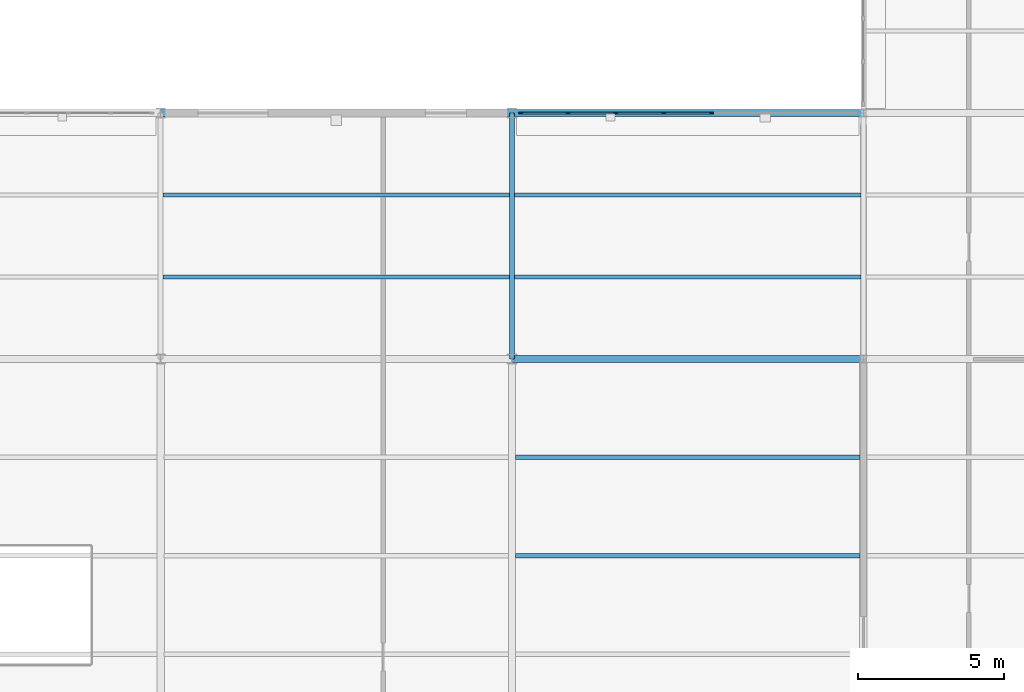
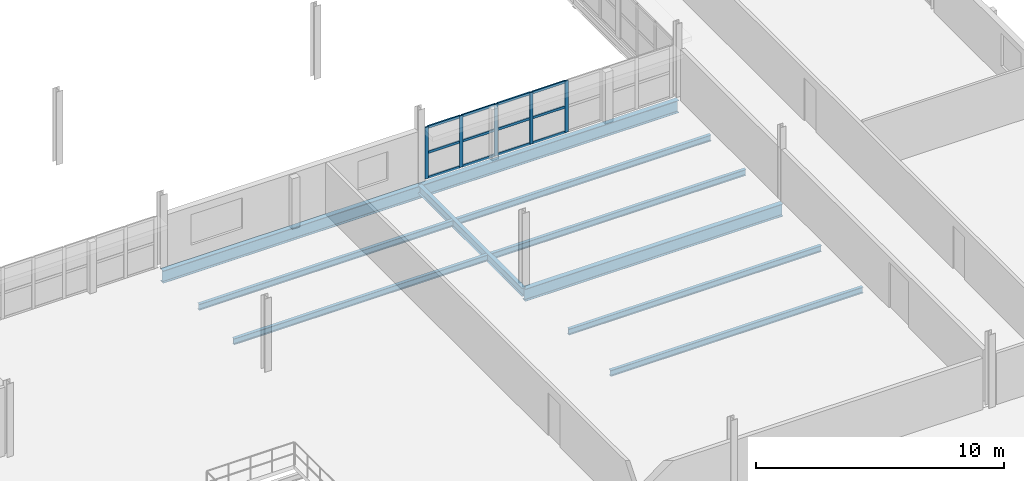
# One storey, part 51 of 101: 17 members, 10 beams, 1 element without a shape of its own.
"""IFC4 building model written with IfcOpenShell, lengths in metres."""

from ifc_helpers import new_model, si_unit, direction, frame, origin, origin_2d, place, context, subcontext, project, spatial, rectangle, i_section, extrude, material, layer, layer_set, material_profile, profile_set, type_object, element, aggregate, save


model = new_model("IFC4")

# Units and contexts
model_context = context("Model", 3, precision=1e-05, world=origin(), true_north=direction((0.0, 1.0)))
body_context = subcontext(model_context, "Body", "Model", "MODEL_VIEW")
ifc_project = project(units=[si_unit("LENGTHUNIT", "METRE"), si_unit("AREAUNIT", "SQUARE_METRE"), si_unit("VOLUMEUNIT", "CUBIC_METRE"), si_unit("PLANEANGLEUNIT", "RADIAN"), si_unit("MASSUNIT", "GRAM", prefix="KILO"), si_unit("THERMODYNAMICTEMPERATUREUNIT", "KELVIN"), si_unit("POWERUNIT", "WATT")], contexts=[model_context])

# Site, building, storey
site_placement = place(None, origin())
site = spatial("IfcSite", under=ifc_project, at=site_placement, CompositionType="ELEMENT")
building_placement = place(site_placement, origin())
building = spatial("IfcBuilding", under=site, at=building_placement, Name="Tembeka Court Mobility Hub", CompositionType="ELEMENT")
storey_placement = place(building_placement, frame((0.0, 0.0, 5.39990234375)))
storey = spatial("IfcBuildingStorey", under=building, at=storey_placement, Name="L01", CompositionType="ELEMENT", Elevation=5.39990234375)

# Beams
ifc_material_1 = material(Name="Steel S355", Category="steel")
ifc_material_profile_1 = material_profile(ifc_material_1, i_section(OverallWidth=0.177978515625, OverallDepth=0.406005859375, WebThickness=0.0078125, FlangeThickness=0.0126953125, FilletRadius=0.01025390625, at=origin_2d()), Name="UKB 406x178x60")
ifc_profile_set_1 = profile_set([ifc_material_profile_1], Name="Steel S355")
beam_type_1 = type_object("IfcBeamType", Name="BM-B02", PredefinedType="BEAM", material=ifc_profile_set_1)
beam_placement = place(storey_placement, frame((152.39990234375, 38.39990234375, -0.392822265625), z_axis=(0.0, 1.0, 0.0), x_axis=(-1.0, 0.0, 0.0)))
element("IfcBeam", 1, at=beam_placement, inside=storey, type_object=beam_type_1, Name="Beam B02 (BM-L01-Y0898)", PredefinedType="BEAM", context=body_context, shape_type="SweptSolid", body=[
    extrude(i_section(OverallWidth=0.177978515625, OverallDepth=0.406005859375, WebThickness=0.0078125, FlangeThickness=0.0126953125, FilletRadius=0.01025390625, at=origin_2d()), origin(), (0.0, 0.0, 1.0), 8.400146484375),
])
ifc_material_profile_2 = material_profile(ifc_material_1, i_section(OverallWidth=0.22900390625, OverallDepth=0.612060546875, WebThickness=0.011962890625, FlangeThickness=0.01953125, FilletRadius=0.0126953125, at=origin_2d()), Name="UKB 610x229x125")
ifc_profile_set_2 = profile_set([ifc_material_profile_2], Name="Steel S355")
beam_type_2 = type_object("IfcBeamType", Name="BM-G02", PredefinedType="USERDEFINED", material=ifc_profile_set_2)
for number, where, z_axis, x_axis, name in (
    (2, (152.39990234375, 38.39990234375, -0.495849609375), (1.0, 0.0, 0.0), (0.0, 1.0, 0.0), "Beam G02 (BM-L01-X0663)"),
    (3, (140.39990234375, 46.800048828125, -0.495849609375), (1.0, 0.0, 0.0), (0.0, 1.0, 0.0), "Beam G02 (BM-L01-X0676)"),
    (4, (152.39990234375, 46.800048828125, -0.495849609375), (1.0, 0.0, 0.0), (0.0, 1.0, 0.0), "Beam G02 (BM-L01-X0677)"),
):
    element("IfcBeam", number, at=place(storey_placement, frame(where, z_axis=z_axis, x_axis=x_axis)), inside=storey, type_object=beam_type_2, Name=name, ObjectType="GIRDER", PredefinedType="USERDEFINED", context=body_context, shape_type="SweptSolid", body=[
        extrude(i_section(OverallWidth=0.22900390625, OverallDepth=0.612060546875, WebThickness=0.011962890625, FlangeThickness=0.01953125, FilletRadius=0.0126953125, at=origin_2d()), origin(), (0.0, 0.0, 1.0), 12.0),
    ])
ifc_material_profile_3 = material_profile(ifc_material_1, i_section(OverallWidth=0.14990234375, OverallDepth=0.300048828125, WebThickness=0.007080078125, FlangeThickness=0.0107421875, FilletRadius=0.014892578125, at=origin_2d()), Name="IPE 300")
ifc_profile_set_3 = profile_set([ifc_material_profile_3], Name="Steel S355")
beam_type_3 = type_object("IfcBeamType", Name="BM-J04", PredefinedType="JOIST", material=ifc_profile_set_3)
for number, where, z_axis, x_axis, name in (
    (5, (140.48388671875, 41.199951171875, -0.33984375), (1.0, 0.0, 0.0), (0.0, 1.0, 0.0), "Beam J04 (JST-L01-1145)"),
    (6, (140.48388671875, 44.0, -0.33984375), (1.0, 0.0, 0.0), (0.0, 1.0, 0.0), "Beam J04 (JST-L01-1146)"),
):
    element("IfcBeam", number, at=place(storey_placement, frame(where, z_axis=z_axis, x_axis=x_axis)), inside=storey, type_object=beam_type_3, Name=name, PredefinedType="JOIST", context=body_context, shape_type="SweptSolid", body=[
        extrude(i_section(OverallWidth=0.14990234375, OverallDepth=0.300048828125, WebThickness=0.007080078125, FlangeThickness=0.0107421875, FilletRadius=0.014892578125, at=origin_2d()), origin(), (0.0, 0.0, 1.0), 11.83203125),
    ])
for number, where, z_axis, x_axis, name in (
    (7, (152.52197265625, 31.679931640625, -0.33984375), (1.0, 0.0, 0.0), (0.0, 1.0, 0.0), "Beam J04 (JST-L01-1152)"),
    (8, (152.52197265625, 35.0400390625, -0.33984375), (1.0, 0.0, 0.0), (0.0, 1.0, 0.0), "Beam J04 (JST-L01-1153)"),
):
    element("IfcBeam", number, at=place(storey_placement, frame(where, z_axis=z_axis, x_axis=x_axis)), inside=storey, type_object=beam_type_3, Name=name, PredefinedType="JOIST", context=body_context, shape_type="SweptSolid", body=[
        extrude(i_section(OverallWidth=0.14990234375, OverallDepth=0.300048828125, WebThickness=0.007080078125, FlangeThickness=0.0107421875, FilletRadius=0.014892578125, at=origin_2d()), origin(), (0.0, 0.0, 1.0), 11.756103515625),
    ])
for number, where, z_axis, x_axis, name in (
    (9, (152.48388671875, 41.199951171875, -0.33984375), (1.0, 0.0, 0.0), (0.0, 1.0, 0.0), "Beam J04 (JST-L01-1154)"),
    (10, (152.48388671875, 44.0, -0.33984375), (1.0, 0.0, 0.0), (0.0, 1.0, 0.0), "Beam J04 (JST-L01-1155)"),
):
    element("IfcBeam", number, at=place(storey_placement, frame(where, z_axis=z_axis, x_axis=x_axis)), inside=storey, type_object=beam_type_3, Name=name, PredefinedType="JOIST", context=body_context, shape_type="SweptSolid", body=[
        extrude(i_section(OverallWidth=0.14990234375, OverallDepth=0.300048828125, WebThickness=0.007080078125, FlangeThickness=0.0107421875, FilletRadius=0.014892578125, at=origin_2d()), origin(), (0.0, 0.0, 1.0), 11.83203125),
    ])

# Curtain wall, members
ifc_material_2 = material(Name="Anodised aluminium 6063-T6", Category="aluminium")
ifc_layer = layer(ifc_material_2, 0.159912109375)
ifc_layer_set = layer_set([ifc_layer], Name="Anodised aluminium 6063-T6")
curtain_wall_type = type_object("IfcCurtainWallType", Name="CW-SYS41", PredefinedType="USERDEFINED", material=ifc_layer_set)
curtain_wall_placement = place(storey_placement, origin())
curtain_wall = element("IfcCurtainWall", 11, at=curtain_wall_placement, inside=storey, type_object=curtain_wall_type, Name="Unitised curtain wall CW41 (CW-L01-116)", ObjectType="UNITISED GLAZING", PredefinedType="USERDEFINED")
ifc_material_profile_4 = material_profile(ifc_material_2, rectangle(XDim=0.06494140625, YDim=0.159912109375, at=origin_2d()), Name="ALU-MUL 65x160")
ifc_profile_set_4 = profile_set([ifc_material_profile_4], Name="Anodised aluminium 6063-T6")
member_type_1 = type_object("IfcMemberType", Name="CW-MUL01", PredefinedType="MULLION", material=ifc_profile_set_4)
member_1_placement = place(storey_placement, frame((152.71240234375, 46.800048828125, 0.0), z_axis=(0.0, 0.0, 1.0), x_axis=(0.0, 1.0, 0.0)))
member_1 = element("IfcMember", 12, at=member_1_placement, type_object=member_type_1, Name="CW41 mullion 1", PredefinedType="MULLION", context=body_context, shape_type="SweptSolid", body=[
    extrude(rectangle(XDim=0.06494140625, YDim=0.159912109375, at=origin_2d()), origin(), (0.0, 0.0, 1.0), 2.53515625),
])
member_2_placement = place(storey_placement, frame((154.314208984375, 46.800048828125, 0.0), z_axis=(0.0, 0.0, 1.0), x_axis=(0.0, 1.0, 0.0)))
member_2 = element("IfcMember", 13, at=member_2_placement, type_object=member_type_1, Name="CW41 mullion 2", PredefinedType="MULLION", context=body_context, shape_type="SweptSolid", body=[
    extrude(rectangle(XDim=0.06494140625, YDim=0.159912109375, at=origin_2d()), origin(), (0.0, 0.0, 1.0), 2.53515625),
])
member_3_placement = place(storey_placement, frame((155.948486328125, 46.800048828125, 0.0), z_axis=(0.0, 0.0, 1.0), x_axis=(0.0, 1.0, 0.0)))
member_3 = element("IfcMember", 14, at=member_3_placement, type_object=member_type_1, Name="CW41 mullion 3", PredefinedType="MULLION", context=body_context, shape_type="SweptSolid", body=[
    extrude(rectangle(XDim=0.06494140625, YDim=0.159912109375, at=origin_2d()), origin(), (0.0, 0.0, 1.0), 2.53515625),
])
member_4_placement = place(storey_placement, frame((157.582763671875, 46.800048828125, 0.0), z_axis=(0.0, 0.0, 1.0), x_axis=(0.0, 1.0, 0.0)))
member_4 = element("IfcMember", 15, at=member_4_placement, type_object=member_type_1, Name="CW41 mullion 4", PredefinedType="MULLION", context=body_context, shape_type="SweptSolid", body=[
    extrude(rectangle(XDim=0.06494140625, YDim=0.159912109375, at=origin_2d()), origin(), (0.0, 0.0, 1.0), 2.53515625),
])
member_5_placement = place(storey_placement, frame((159.217041015625, 46.800048828125, 0.0), z_axis=(0.0, 0.0, 1.0), x_axis=(0.0, 1.0, 0.0)))
member_5 = element("IfcMember", 16, at=member_5_placement, type_object=member_type_1, Name="CW41 mullion 5", PredefinedType="MULLION", context=body_context, shape_type="SweptSolid", body=[
    extrude(rectangle(XDim=0.06494140625, YDim=0.159912109375, at=origin_2d()), origin(), (0.0, 0.0, 1.0), 2.53515625),
])
ifc_material_profile_5 = material_profile(ifc_material_2, rectangle(XDim=0.06494140625, YDim=0.1201171875, at=origin_2d()), Name="ALU-TRN 65x120")
ifc_profile_set_5 = profile_set([ifc_material_profile_5], Name="Anodised aluminium 6063-T6")
member_type_2 = type_object("IfcMemberType", Name="CW-TRN01", PredefinedType="USERDEFINED", material=ifc_profile_set_5)
member_6_placement = place(storey_placement, frame((152.7451171875, 46.800048828125, 0.03271484375), z_axis=(1.0, 0.0, 0.0), x_axis=(0.0, 1.0, 0.0)))
member_6 = element("IfcMember", 17, at=member_6_placement, type_object=member_type_2, Name="CW41 transom 1.1", ObjectType="TRANSOM", PredefinedType="USERDEFINED", context=body_context, shape_type="SweptSolid", body=[
    extrude(rectangle(XDim=0.06494140625, YDim=0.1201171875, at=origin_2d()), origin(), (0.0, 0.0, 1.0), 1.53662109375),
])
member_7_placement = place(storey_placement, frame((152.7451171875, 46.800048828125, 1.267578125), z_axis=(1.0, 0.0, 0.0), x_axis=(0.0, 1.0, 0.0)))
member_7 = element("IfcMember", 18, at=member_7_placement, type_object=member_type_2, Name="CW41 transom 1.2", ObjectType="TRANSOM", PredefinedType="USERDEFINED", context=body_context, shape_type="SweptSolid", body=[
    extrude(rectangle(XDim=0.06494140625, YDim=0.1201171875, at=origin_2d()), origin(), (0.0, 0.0, 1.0), 1.53662109375),
])
member_8_placement = place(storey_placement, frame((152.7451171875, 46.800048828125, 2.502685546875), z_axis=(1.0, 0.0, 0.0), x_axis=(0.0, 1.0, 0.0)))
member_8 = element("IfcMember", 19, at=member_8_placement, type_object=member_type_2, Name="CW41 transom 1.3", ObjectType="TRANSOM", PredefinedType="USERDEFINED", context=body_context, shape_type="SweptSolid", body=[
    extrude(rectangle(XDim=0.06494140625, YDim=0.1201171875, at=origin_2d()), origin(), (0.0, 0.0, 1.0), 1.53662109375),
])
member_9_placement = place(storey_placement, frame((154.3466796875, 46.800048828125, 0.03271484375), z_axis=(1.0, 0.0, 0.0), x_axis=(0.0, 1.0, 0.0)))
member_9 = element("IfcMember", 20, at=member_9_placement, type_object=member_type_2, Name="CW41 transom 2.1", ObjectType="TRANSOM", PredefinedType="USERDEFINED", context=body_context, shape_type="SweptSolid", body=[
    extrude(rectangle(XDim=0.06494140625, YDim=0.1201171875, at=origin_2d()), origin(), (0.0, 0.0, 1.0), 1.5693359375),
])
member_10_placement = place(storey_placement, frame((154.3466796875, 46.800048828125, 1.267578125), z_axis=(1.0, 0.0, 0.0), x_axis=(0.0, 1.0, 0.0)))
member_10 = element("IfcMember", 21, at=member_10_placement, type_object=member_type_2, Name="CW41 transom 2.2", ObjectType="TRANSOM", PredefinedType="USERDEFINED", context=body_context, shape_type="SweptSolid", body=[
    extrude(rectangle(XDim=0.06494140625, YDim=0.1201171875, at=origin_2d()), origin(), (0.0, 0.0, 1.0), 1.5693359375),
])
member_11_placement = place(storey_placement, frame((154.3466796875, 46.800048828125, 2.502685546875), z_axis=(1.0, 0.0, 0.0), x_axis=(0.0, 1.0, 0.0)))
member_11 = element("IfcMember", 22, at=member_11_placement, type_object=member_type_2, Name="CW41 transom 2.3", ObjectType="TRANSOM", PredefinedType="USERDEFINED", context=body_context, shape_type="SweptSolid", body=[
    extrude(rectangle(XDim=0.06494140625, YDim=0.1201171875, at=origin_2d()), origin(), (0.0, 0.0, 1.0), 1.5693359375),
])
member_12_placement = place(storey_placement, frame((155.98095703125, 46.800048828125, 0.03271484375), z_axis=(1.0, 0.0, 0.0), x_axis=(0.0, 1.0, 0.0)))
member_12 = element("IfcMember", 23, at=member_12_placement, type_object=member_type_2, Name="CW41 transom 3.1", ObjectType="TRANSOM", PredefinedType="USERDEFINED", context=body_context, shape_type="SweptSolid", body=[
    extrude(rectangle(XDim=0.06494140625, YDim=0.1201171875, at=origin_2d()), origin(), (0.0, 0.0, 1.0), 1.5693359375),
])
member_13_placement = place(storey_placement, frame((155.98095703125, 46.800048828125, 1.267578125), z_axis=(1.0, 0.0, 0.0), x_axis=(0.0, 1.0, 0.0)))
member_13 = element("IfcMember", 24, at=member_13_placement, type_object=member_type_2, Name="CW41 transom 3.2", ObjectType="TRANSOM", PredefinedType="USERDEFINED", context=body_context, shape_type="SweptSolid", body=[
    extrude(rectangle(XDim=0.06494140625, YDim=0.1201171875, at=origin_2d()), origin(), (0.0, 0.0, 1.0), 1.5693359375),
])
member_14_placement = place(storey_placement, frame((155.98095703125, 46.800048828125, 2.502685546875), z_axis=(1.0, 0.0, 0.0), x_axis=(0.0, 1.0, 0.0)))
member_14 = element("IfcMember", 25, at=member_14_placement, type_object=member_type_2, Name="CW41 transom 3.3", ObjectType="TRANSOM", PredefinedType="USERDEFINED", context=body_context, shape_type="SweptSolid", body=[
    extrude(rectangle(XDim=0.06494140625, YDim=0.1201171875, at=origin_2d()), origin(), (0.0, 0.0, 1.0), 1.5693359375),
])
member_15_placement = place(storey_placement, frame((157.615478515625, 46.800048828125, 0.03271484375), z_axis=(1.0, 0.0, 0.0), x_axis=(0.0, 1.0, 0.0)))
member_15 = element("IfcMember", 26, at=member_15_placement, type_object=member_type_2, Name="CW41 transom 4.1", ObjectType="TRANSOM", PredefinedType="USERDEFINED", context=body_context, shape_type="SweptSolid", body=[
    extrude(rectangle(XDim=0.06494140625, YDim=0.1201171875, at=origin_2d()), origin(), (0.0, 0.0, 1.0), 1.569091796875),
])
member_16_placement = place(storey_placement, frame((157.615478515625, 46.800048828125, 1.267578125), z_axis=(1.0, 0.0, 0.0), x_axis=(0.0, 1.0, 0.0)))
member_16 = element("IfcMember", 27, at=member_16_placement, type_object=member_type_2, Name="CW41 transom 4.2", ObjectType="TRANSOM", PredefinedType="USERDEFINED", context=body_context, shape_type="SweptSolid", body=[
    extrude(rectangle(XDim=0.06494140625, YDim=0.1201171875, at=origin_2d()), origin(), (0.0, 0.0, 1.0), 1.569091796875),
])
member_17_placement = place(storey_placement, frame((157.615478515625, 46.800048828125, 2.502685546875), z_axis=(1.0, 0.0, 0.0), x_axis=(0.0, 1.0, 0.0)))
member_17 = element("IfcMember", 28, at=member_17_placement, type_object=member_type_2, Name="CW41 transom 4.3", ObjectType="TRANSOM", PredefinedType="USERDEFINED", context=body_context, shape_type="SweptSolid", body=[
    extrude(rectangle(XDim=0.06494140625, YDim=0.1201171875, at=origin_2d()), origin(), (0.0, 0.0, 1.0), 1.569091796875),
])
aggregate(curtain_wall, [member_1, member_2, member_3, member_4, member_5, member_6, member_7, member_8, member_9, member_10, member_11, member_12, member_13, member_14, member_15, member_16, member_17])

save(model, "model.ifc")
